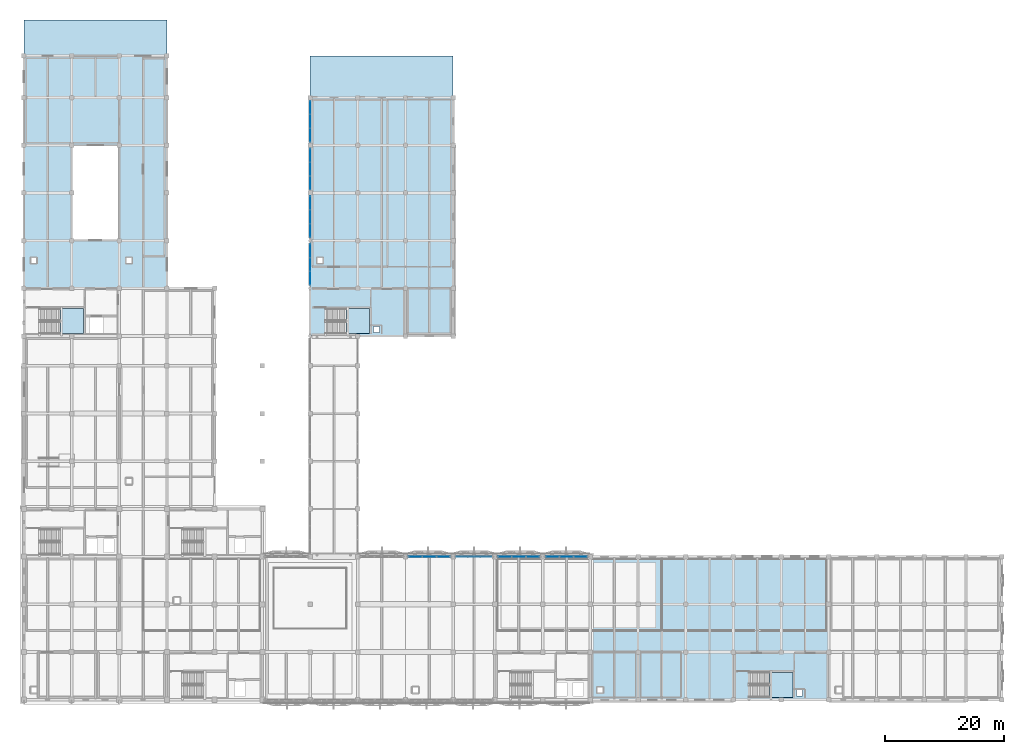
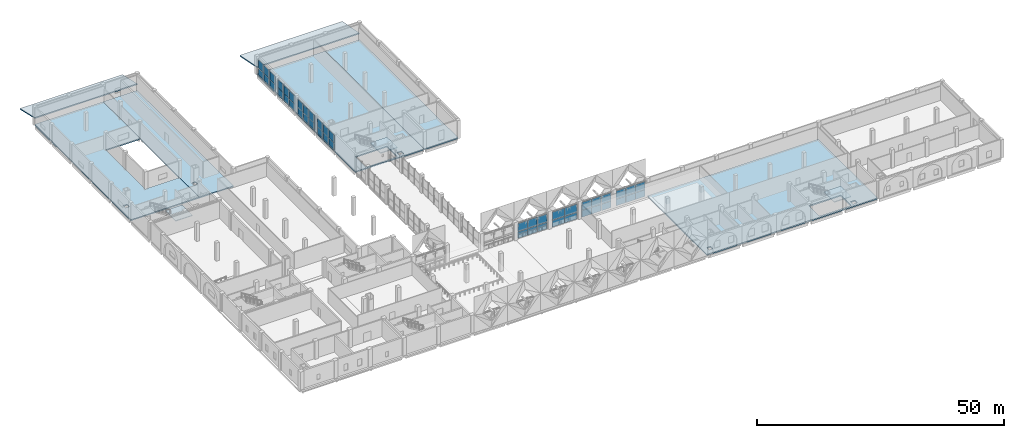
# One storey, part 24 of 53: 46 plates, 10 slabs, 13 elements without a shape of their own.
"""IFC4 building model written with IfcOpenShell, lengths in metres."""

from ifc_helpers import new_model, si_unit, direction, frame, origin, origin_2d, place, context, subcontext, project, spatial, polyline, rectangle, outline, extrude, material, layer, layer_set, type_object, element, aggregate, save


model = new_model("IFC4")

# Units and contexts
model_context = context("Model", 3, precision=1e-05, world=origin(), true_north=direction((0.0, 1.0)))
body_context = subcontext(model_context, "Body", "Model", "MODEL_VIEW")
ifc_project = project(units=[si_unit("LENGTHUNIT", "METRE"), si_unit("AREAUNIT", "SQUARE_METRE"), si_unit("VOLUMEUNIT", "CUBIC_METRE"), si_unit("PLANEANGLEUNIT", "RADIAN"), si_unit("MASSUNIT", "GRAM", prefix="KILO")], contexts=[model_context])

# Site, building, storey
site_placement = place(None, origin())
site = spatial("IfcSite", under=ifc_project, at=site_placement, CompositionType="ELEMENT")
building_placement = place(site_placement, origin())
building = spatial("IfcBuilding", under=site, at=building_placement, Name="Qorikala Patio Media Centre", CompositionType="ELEMENT")
storey_placement = place(building_placement, frame((0.0, 0.0, 5.39990234375)))
storey = spatial("IfcBuildingStorey", under=building, at=storey_placement, Name="L01", CompositionType="ELEMENT", Elevation=5.39990234375)

# Curtain wall, plates
ifc_material_1 = material(Name="Bronze Anodised Aluminium and Low-E Glass", Category="aluminium")
ifc_layer_1 = layer(ifc_material_1, 0.159912109375)
ifc_layer_set_1 = layer_set([ifc_layer_1], Name="Bronze Anodised Aluminium and Low-E Glass")
curtain_wall_type_1 = type_object("IfcCurtainWallType", Name="CW-PAT-696X385", PredefinedType="USERDEFINED", material=ifc_layer_set_1)
curtain_wall_1_placement = place(storey_placement, origin())
curtain_wall_1 = element("IfcCurtainWall", 1, at=curtain_wall_1_placement, inside=storey, type_object=curtain_wall_type_1, Name="L01 Courtyard Curtain Wall 021", ObjectType="COURTYARD CURTAIN WALL", PredefinedType="USERDEFINED")
ifc_material_2 = material(Name="Low-E Double Glazing Glass", Category="glass")
ifc_layer_2 = layer(ifc_material_2, 0.028076171875)
ifc_layer_set_2 = layer_set([ifc_layer_2], Name="Low-E Double Glazing Glass")
plate_type_1 = type_object("IfcPlateType", Name="CWP-28", PredefinedType="CURTAIN_PANEL", material=ifc_layer_set_2)
plate_1_placement = place(storey_placement, frame((51.0, 73.697509765625, 0.070068359375), z_axis=(0.0, 0.0, 1.0), x_axis=(0.0, 1.0, 0.0)))
plate_1 = element("IfcPlate", 2, at=plate_1_placement, type_object=plate_type_1, Name="CWP696385 panel 1.1", PredefinedType="CURTAIN_PANEL", context=body_context, shape_type="SweptSolid", body=[
    extrude(rectangle(XDim=2.215087890625, YDim=0.028076171875, at=origin_2d()), origin(), (0.0, 0.0, 1.0), 1.62744140625),
])
plate_2_placement = place(storey_placement, frame((51.0, 73.697509765625, 1.767578125), z_axis=(0.0, 0.0, 1.0), x_axis=(0.0, 1.0, 0.0)))
plate_2 = element("IfcPlate", 3, at=plate_2_placement, type_object=plate_type_1, Name="CWP696385 panel 1.2", PredefinedType="CURTAIN_PANEL", context=body_context, shape_type="SweptSolid", body=[
    extrude(rectangle(XDim=2.215087890625, YDim=0.028076171875, at=origin_2d()), origin(), (0.0, 0.0, 1.0), 2.012451171875),
])
plate_3_placement = place(storey_placement, frame((51.0, 76.0, 0.070068359375), z_axis=(0.0, 0.0, 1.0), x_axis=(0.0, 1.0, 0.0)))
plate_3 = element("IfcPlate", 4, at=plate_3_placement, type_object=plate_type_1, Name="CWP696385 panel 2.1", PredefinedType="CURTAIN_PANEL", context=body_context, shape_type="SweptSolid", body=[
    extrude(rectangle(XDim=2.25, YDim=0.028076171875, at=origin_2d()), origin(), (0.0, 0.0, 1.0), 1.62744140625),
])
plate_4_placement = place(storey_placement, frame((51.0, 76.0, 1.767578125), z_axis=(0.0, 0.0, 1.0), x_axis=(0.0, 1.0, 0.0)))
plate_4 = element("IfcPlate", 5, at=plate_4_placement, type_object=plate_type_1, Name="CWP696385 panel 2.2", PredefinedType="CURTAIN_PANEL", context=body_context, shape_type="SweptSolid", body=[
    extrude(rectangle(XDim=2.25, YDim=0.028076171875, at=origin_2d()), origin(), (0.0, 0.0, 1.0), 2.012451171875),
])
plate_5_placement = place(storey_placement, frame((51.0, 78.302490234375, 0.070068359375), z_axis=(0.0, 0.0, 1.0), x_axis=(0.0, 1.0, 0.0)))
plate_5 = element("IfcPlate", 6, at=plate_5_placement, type_object=plate_type_1, Name="CWP696385 panel 3.1", PredefinedType="CURTAIN_PANEL", context=body_context, shape_type="SweptSolid", body=[
    extrude(rectangle(XDim=2.215087890625, YDim=0.028076171875, at=origin_2d()), origin(), (0.0, 0.0, 1.0), 1.62744140625),
])
plate_6_placement = place(storey_placement, frame((51.0, 78.302490234375, 1.767578125), z_axis=(0.0, 0.0, 1.0), x_axis=(0.0, 1.0, 0.0)))
plate_6 = element("IfcPlate", 7, at=plate_6_placement, type_object=plate_type_1, Name="CWP696385 panel 3.2", PredefinedType="CURTAIN_PANEL", context=body_context, shape_type="SweptSolid", body=[
    extrude(rectangle(XDim=2.215087890625, YDim=0.028076171875, at=origin_2d()), origin(), (0.0, 0.0, 1.0), 2.012451171875),
])
aggregate(curtain_wall_1, [plate_1, plate_2, plate_3, plate_4, plate_5, plate_6])

curtain_wall_2_placement = place(storey_placement, origin())
curtain_wall_2 = element("IfcCurtainWall", 8, at=curtain_wall_2_placement, inside=storey, type_object=curtain_wall_type_1, Name="L01 Courtyard Curtain Wall 022", ObjectType="COURTYARD CURTAIN WALL", PredefinedType="USERDEFINED")
plate_7_placement = place(storey_placement, frame((51.0, 81.697509765625, 0.070068359375), z_axis=(0.0, 0.0, 1.0), x_axis=(0.0, 1.0, 0.0)))
plate_7 = element("IfcPlate", 9, at=plate_7_placement, type_object=plate_type_1, Name="CWP696385 panel 1.1", PredefinedType="CURTAIN_PANEL", context=body_context, shape_type="SweptSolid", body=[
    extrude(rectangle(XDim=2.215087890625, YDim=0.028076171875, at=origin_2d()), origin(), (0.0, 0.0, 1.0), 1.62744140625),
])
plate_8_placement = place(storey_placement, frame((51.0, 81.697509765625, 1.767578125), z_axis=(0.0, 0.0, 1.0), x_axis=(0.0, 1.0, 0.0)))
plate_8 = element("IfcPlate", 10, at=plate_8_placement, type_object=plate_type_1, Name="CWP696385 panel 1.2", PredefinedType="CURTAIN_PANEL", context=body_context, shape_type="SweptSolid", body=[
    extrude(rectangle(XDim=2.215087890625, YDim=0.028076171875, at=origin_2d()), origin(), (0.0, 0.0, 1.0), 2.012451171875),
])
plate_9_placement = place(storey_placement, frame((51.0, 84.0, 0.070068359375), z_axis=(0.0, 0.0, 1.0), x_axis=(0.0, 1.0, 0.0)))
plate_9 = element("IfcPlate", 11, at=plate_9_placement, type_object=plate_type_1, Name="CWP696385 panel 2.1", PredefinedType="CURTAIN_PANEL", context=body_context, shape_type="SweptSolid", body=[
    extrude(rectangle(XDim=2.25, YDim=0.028076171875, at=origin_2d()), origin(), (0.0, 0.0, 1.0), 1.62744140625),
])
plate_10_placement = place(storey_placement, frame((51.0, 84.0, 1.767578125), z_axis=(0.0, 0.0, 1.0), x_axis=(0.0, 1.0, 0.0)))
plate_10 = element("IfcPlate", 12, at=plate_10_placement, type_object=plate_type_1, Name="CWP696385 panel 2.2", PredefinedType="CURTAIN_PANEL", context=body_context, shape_type="SweptSolid", body=[
    extrude(rectangle(XDim=2.25, YDim=0.028076171875, at=origin_2d()), origin(), (0.0, 0.0, 1.0), 2.012451171875),
])
plate_11_placement = place(storey_placement, frame((51.0, 86.302490234375, 0.070068359375), z_axis=(0.0, 0.0, 1.0), x_axis=(0.0, 1.0, 0.0)))
plate_11 = element("IfcPlate", 13, at=plate_11_placement, type_object=plate_type_1, Name="CWP696385 panel 3.1", PredefinedType="CURTAIN_PANEL", context=body_context, shape_type="SweptSolid", body=[
    extrude(rectangle(XDim=2.215087890625, YDim=0.028076171875, at=origin_2d()), origin(), (0.0, 0.0, 1.0), 1.62744140625),
])
plate_12_placement = place(storey_placement, frame((51.0, 86.302490234375, 1.767578125), z_axis=(0.0, 0.0, 1.0), x_axis=(0.0, 1.0, 0.0)))
plate_12 = element("IfcPlate", 14, at=plate_12_placement, type_object=plate_type_1, Name="CWP696385 panel 3.2", PredefinedType="CURTAIN_PANEL", context=body_context, shape_type="SweptSolid", body=[
    extrude(rectangle(XDim=2.215087890625, YDim=0.028076171875, at=origin_2d()), origin(), (0.0, 0.0, 1.0), 2.012451171875),
])
aggregate(curtain_wall_2, [plate_7, plate_8, plate_9, plate_10, plate_11, plate_12])

curtain_wall_3_placement = place(storey_placement, origin())
curtain_wall_3 = element("IfcCurtainWall", 15, at=curtain_wall_3_placement, inside=storey, type_object=curtain_wall_type_1, Name="L01 Courtyard Curtain Wall 023", ObjectType="COURTYARD CURTAIN WALL", PredefinedType="USERDEFINED")
plate_13_placement = place(storey_placement, frame((51.0, 89.697509765625, 0.070068359375), z_axis=(0.0, 0.0, 1.0), x_axis=(0.0, 1.0, 0.0)))
plate_13 = element("IfcPlate", 16, at=plate_13_placement, type_object=plate_type_1, Name="CWP696385 panel 1.1", PredefinedType="CURTAIN_PANEL", context=body_context, shape_type="SweptSolid", body=[
    extrude(rectangle(XDim=2.215087890625, YDim=0.028076171875, at=origin_2d()), origin(), (0.0, 0.0, 1.0), 1.62744140625),
])
plate_14_placement = place(storey_placement, frame((51.0, 89.697509765625, 1.767578125), z_axis=(0.0, 0.0, 1.0), x_axis=(0.0, 1.0, 0.0)))
plate_14 = element("IfcPlate", 17, at=plate_14_placement, type_object=plate_type_1, Name="CWP696385 panel 1.2", PredefinedType="CURTAIN_PANEL", context=body_context, shape_type="SweptSolid", body=[
    extrude(rectangle(XDim=2.215087890625, YDim=0.028076171875, at=origin_2d()), origin(), (0.0, 0.0, 1.0), 2.012451171875),
])
plate_15_placement = place(storey_placement, frame((51.0, 92.0, 0.070068359375), z_axis=(0.0, 0.0, 1.0), x_axis=(0.0, 1.0, 0.0)))
plate_15 = element("IfcPlate", 18, at=plate_15_placement, type_object=plate_type_1, Name="CWP696385 panel 2.1", PredefinedType="CURTAIN_PANEL", context=body_context, shape_type="SweptSolid", body=[
    extrude(rectangle(XDim=2.25, YDim=0.028076171875, at=origin_2d()), origin(), (0.0, 0.0, 1.0), 1.62744140625),
])
plate_16_placement = place(storey_placement, frame((51.0, 92.0, 1.767578125), z_axis=(0.0, 0.0, 1.0), x_axis=(0.0, 1.0, 0.0)))
plate_16 = element("IfcPlate", 19, at=plate_16_placement, type_object=plate_type_1, Name="CWP696385 panel 2.2", PredefinedType="CURTAIN_PANEL", context=body_context, shape_type="SweptSolid", body=[
    extrude(rectangle(XDim=2.25, YDim=0.028076171875, at=origin_2d()), origin(), (0.0, 0.0, 1.0), 2.012451171875),
])
plate_17_placement = place(storey_placement, frame((51.0, 94.302490234375, 0.070068359375), z_axis=(0.0, 0.0, 1.0), x_axis=(0.0, 1.0, 0.0)))
plate_17 = element("IfcPlate", 20, at=plate_17_placement, type_object=plate_type_1, Name="CWP696385 panel 3.1", PredefinedType="CURTAIN_PANEL", context=body_context, shape_type="SweptSolid", body=[
    extrude(rectangle(XDim=2.215087890625, YDim=0.028076171875, at=origin_2d()), origin(), (0.0, 0.0, 1.0), 1.62744140625),
])
plate_18_placement = place(storey_placement, frame((51.0, 94.302490234375, 1.767578125), z_axis=(0.0, 0.0, 1.0), x_axis=(0.0, 1.0, 0.0)))
plate_18 = element("IfcPlate", 21, at=plate_18_placement, type_object=plate_type_1, Name="CWP696385 panel 3.2", PredefinedType="CURTAIN_PANEL", context=body_context, shape_type="SweptSolid", body=[
    extrude(rectangle(XDim=2.215087890625, YDim=0.028076171875, at=origin_2d()), origin(), (0.0, 0.0, 1.0), 2.012451171875),
])
aggregate(curtain_wall_3, [plate_13, plate_14, plate_15, plate_16, plate_17, plate_18])

curtain_wall_4_placement = place(storey_placement, origin())
curtain_wall_4 = element("IfcCurtainWall", 22, at=curtain_wall_4_placement, inside=storey, type_object=curtain_wall_type_1, Name="L01 Courtyard Curtain Wall 024", ObjectType="COURTYARD CURTAIN WALL", PredefinedType="USERDEFINED")
plate_19_placement = place(storey_placement, frame((51.0, 97.697509765625, 0.070068359375), z_axis=(0.0, 0.0, 1.0), x_axis=(0.0, 1.0, 0.0)))
plate_19 = element("IfcPlate", 23, at=plate_19_placement, type_object=plate_type_1, Name="CWP696385 panel 1.1", PredefinedType="CURTAIN_PANEL", context=body_context, shape_type="SweptSolid", body=[
    extrude(rectangle(XDim=2.215087890625, YDim=0.028076171875, at=origin_2d()), origin(), (0.0, 0.0, 1.0), 1.62744140625),
])
plate_20_placement = place(storey_placement, frame((51.0, 97.697509765625, 1.767578125), z_axis=(0.0, 0.0, 1.0), x_axis=(0.0, 1.0, 0.0)))
plate_20 = element("IfcPlate", 24, at=plate_20_placement, type_object=plate_type_1, Name="CWP696385 panel 1.2", PredefinedType="CURTAIN_PANEL", context=body_context, shape_type="SweptSolid", body=[
    extrude(rectangle(XDim=2.215087890625, YDim=0.028076171875, at=origin_2d()), origin(), (0.0, 0.0, 1.0), 2.012451171875),
])
plate_21_placement = place(storey_placement, frame((51.0, 100.0, 0.070068359375), z_axis=(0.0, 0.0, 1.0), x_axis=(0.0, 1.0, 0.0)))
plate_21 = element("IfcPlate", 25, at=plate_21_placement, type_object=plate_type_1, Name="CWP696385 panel 2.1", PredefinedType="CURTAIN_PANEL", context=body_context, shape_type="SweptSolid", body=[
    extrude(rectangle(XDim=2.25, YDim=0.028076171875, at=origin_2d()), origin(), (0.0, 0.0, 1.0), 1.62744140625),
])
plate_22_placement = place(storey_placement, frame((51.0, 100.0, 1.767578125), z_axis=(0.0, 0.0, 1.0), x_axis=(0.0, 1.0, 0.0)))
plate_22 = element("IfcPlate", 26, at=plate_22_placement, type_object=plate_type_1, Name="CWP696385 panel 2.2", PredefinedType="CURTAIN_PANEL", context=body_context, shape_type="SweptSolid", body=[
    extrude(rectangle(XDim=2.25, YDim=0.028076171875, at=origin_2d()), origin(), (0.0, 0.0, 1.0), 2.012451171875),
])
plate_23_placement = place(storey_placement, frame((51.0, 102.302490234375, 0.070068359375), z_axis=(0.0, 0.0, 1.0), x_axis=(0.0, 1.0, 0.0)))
plate_23 = element("IfcPlate", 27, at=plate_23_placement, type_object=plate_type_1, Name="CWP696385 panel 3.1", PredefinedType="CURTAIN_PANEL", context=body_context, shape_type="SweptSolid", body=[
    extrude(rectangle(XDim=2.215087890625, YDim=0.028076171875, at=origin_2d()), origin(), (0.0, 0.0, 1.0), 1.62744140625),
])
plate_24_placement = place(storey_placement, frame((51.0, 102.302490234375, 1.767578125), z_axis=(0.0, 0.0, 1.0), x_axis=(0.0, 1.0, 0.0)))
plate_24 = element("IfcPlate", 28, at=plate_24_placement, type_object=plate_type_1, Name="CWP696385 panel 3.2", PredefinedType="CURTAIN_PANEL", context=body_context, shape_type="SweptSolid", body=[
    extrude(rectangle(XDim=2.215087890625, YDim=0.028076171875, at=origin_2d()), origin(), (0.0, 0.0, 1.0), 2.012451171875),
])
aggregate(curtain_wall_4, [plate_19, plate_20, plate_21, plate_22, plate_23, plate_24])

ifc_material_3 = material(Name="Golden Bronze Anodised Aluminium and Low-E Glass", Category="aluminium")
ifc_layer_3 = layer(ifc_material_3, 0.159912109375)
ifc_layer_set_3 = layer_set([ifc_layer_3], Name="Golden Bronze Anodised Aluminium and Low-E Glass")
curtain_wall_type_2 = type_object("IfcCurtainWallType", Name="CW-DIA-696X385", PredefinedType="USERDEFINED", material=ifc_layer_set_3)
curtain_wall_5_placement = place(storey_placement, origin())
curtain_wall_5 = element("IfcCurtainWall", 29, at=curtain_wall_5_placement, inside=storey, type_object=curtain_wall_type_2, Name="L01 Courtyard Curtain Wall 031", ObjectType="COURTYARD CURTAIN WALL", PredefinedType="USERDEFINED")
ifc_material_4 = material(Name="Solar-Control Diamond Facet Glass", Category="glass")
ifc_layer_4 = layer(ifc_material_4, 0.035888671875)
ifc_layer_set_4 = layer_set([ifc_layer_4], Name="Solar-Control Diamond Facet Glass")
plate_type_2 = type_object("IfcPlateType", Name="CWP-36", PredefinedType="CURTAIN_PANEL", material=ifc_layer_set_4)
plate_25_placement = place(storey_placement, frame((68.6962890625, 27.0, 0.06494140625), z_axis=(0.0, 0.0, 1.0), x_axis=(1.0, 0.0, 0.0)))
plate_25 = element("IfcPlate", 30, at=plate_25_placement, type_object=plate_type_2, Name="CWD696385 panel 1.1", PredefinedType="CURTAIN_PANEL", context=body_context, shape_type="SweptSolid", body=[
    extrude(rectangle(XDim=2.222412109375, YDim=0.035888671875, at=origin_2d()), origin(), (0.0, 0.0, 1.0), 1.635009765625),
])
plate_26_placement = place(storey_placement, frame((68.6962890625, 27.0, 1.76513671875), z_axis=(0.0, 0.0, 1.0), x_axis=(1.0, 0.0, 0.0)))
plate_26 = element("IfcPlate", 31, at=plate_26_placement, type_object=plate_type_2, Name="CWD696385 panel 1.2", PredefinedType="CURTAIN_PANEL", context=body_context, shape_type="SweptSolid", body=[
    extrude(rectangle(XDim=2.222412109375, YDim=0.035888671875, at=origin_2d()), origin(), (0.0, 0.0, 1.0), 2.02001953125),
])
plate_27_placement = place(storey_placement, frame((71.0, 27.0, 0.06494140625), z_axis=(0.0, 0.0, 1.0), x_axis=(1.0, 0.0, 0.0)))
plate_27 = element("IfcPlate", 32, at=plate_27_placement, type_object=plate_type_2, Name="CWD696385 panel 2.1", PredefinedType="CURTAIN_PANEL", context=body_context, shape_type="SweptSolid", body=[
    extrude(rectangle(XDim=2.2548828125, YDim=0.035888671875, at=origin_2d()), origin(), (0.0, 0.0, 1.0), 1.635009765625),
])
plate_28_placement = place(storey_placement, frame((71.0, 27.0, 1.76513671875), z_axis=(0.0, 0.0, 1.0), x_axis=(1.0, 0.0, 0.0)))
plate_28 = element("IfcPlate", 33, at=plate_28_placement, type_object=plate_type_2, Name="CWD696385 panel 2.2", PredefinedType="CURTAIN_PANEL", context=body_context, shape_type="SweptSolid", body=[
    extrude(rectangle(XDim=2.2548828125, YDim=0.035888671875, at=origin_2d()), origin(), (0.0, 0.0, 1.0), 2.02001953125),
])
plate_29_placement = place(storey_placement, frame((73.3037109375, 27.0, 0.06494140625), z_axis=(0.0, 0.0, 1.0), x_axis=(1.0, 0.0, 0.0)))
plate_29 = element("IfcPlate", 34, at=plate_29_placement, type_object=plate_type_2, Name="CWD696385 panel 3.1", PredefinedType="CURTAIN_PANEL", context=body_context, shape_type="SweptSolid", body=[
    extrude(rectangle(XDim=2.222412109375, YDim=0.035888671875, at=origin_2d()), origin(), (0.0, 0.0, 1.0), 1.635009765625),
])
plate_30_placement = place(storey_placement, frame((73.3037109375, 27.0, 1.76513671875), z_axis=(0.0, 0.0, 1.0), x_axis=(1.0, 0.0, 0.0)))
plate_30 = element("IfcPlate", 35, at=plate_30_placement, type_object=plate_type_2, Name="CWD696385 panel 3.2", PredefinedType="CURTAIN_PANEL", context=body_context, shape_type="SweptSolid", body=[
    extrude(rectangle(XDim=2.222412109375, YDim=0.035888671875, at=origin_2d()), origin(), (0.0, 0.0, 1.0), 2.02001953125),
])
aggregate(curtain_wall_5, [plate_25, plate_26, plate_27, plate_28, plate_29, plate_30])

ifc_layer_5 = layer(ifc_material_3, 0.159912109375)
ifc_layer_set_5 = layer_set([ifc_layer_5], Name="Golden Bronze Anodised Aluminium and Low-E Glass")
curtain_wall_type_3 = type_object("IfcCurtainWallType", Name="CW-DIA-596X385", PredefinedType="USERDEFINED", material=ifc_layer_set_5)
curtain_wall_6_placement = place(storey_placement, origin())
curtain_wall_6 = element("IfcCurtainWall", 36, at=curtain_wall_6_placement, inside=storey, type_object=curtain_wall_type_3, Name="L01 Courtyard Curtain Wall 032", ObjectType="COURTYARD CURTAIN WALL", PredefinedType="USERDEFINED")
plate_31_placement = place(storey_placement, frame((77.0263671875, 27.0, 0.06494140625), z_axis=(0.0, 0.0, 1.0), x_axis=(1.0, 0.0, 0.0)))
plate_31 = element("IfcPlate", 37, at=plate_31_placement, type_object=plate_type_2, Name="CWD596385 panel 1.1", PredefinedType="CURTAIN_PANEL", context=body_context, shape_type="SweptSolid", body=[
    extrude(rectangle(XDim=2.882568359375, YDim=0.035888671875, at=origin_2d()), origin(), (0.0, 0.0, 1.0), 1.635009765625),
])
plate_32_placement = place(storey_placement, frame((77.0263671875, 27.0, 1.76513671875), z_axis=(0.0, 0.0, 1.0), x_axis=(1.0, 0.0, 0.0)))
plate_32 = element("IfcPlate", 38, at=plate_32_placement, type_object=plate_type_2, Name="CWD596385 panel 1.2", PredefinedType="CURTAIN_PANEL", context=body_context, shape_type="SweptSolid", body=[
    extrude(rectangle(XDim=2.882568359375, YDim=0.035888671875, at=origin_2d()), origin(), (0.0, 0.0, 1.0), 2.02001953125),
])
plate_33_placement = place(storey_placement, frame((79.9736328125, 27.0, 0.06494140625), z_axis=(0.0, 0.0, 1.0), x_axis=(1.0, 0.0, 0.0)))
plate_33 = element("IfcPlate", 39, at=plate_33_placement, type_object=plate_type_2, Name="CWD596385 panel 2.1", PredefinedType="CURTAIN_PANEL", context=body_context, shape_type="SweptSolid", body=[
    extrude(rectangle(XDim=2.882568359375, YDim=0.035888671875, at=origin_2d()), origin(), (0.0, 0.0, 1.0), 1.635009765625),
])
plate_34_placement = place(storey_placement, frame((79.9736328125, 27.0, 1.76513671875), z_axis=(0.0, 0.0, 1.0), x_axis=(1.0, 0.0, 0.0)))
plate_34 = element("IfcPlate", 40, at=plate_34_placement, type_object=plate_type_2, Name="CWD596385 panel 2.2", PredefinedType="CURTAIN_PANEL", context=body_context, shape_type="SweptSolid", body=[
    extrude(rectangle(XDim=2.882568359375, YDim=0.035888671875, at=origin_2d()), origin(), (0.0, 0.0, 1.0), 2.02001953125),
])
aggregate(curtain_wall_6, [plate_31, plate_32, plate_33, plate_34])

curtain_wall_7_placement = place(storey_placement, origin())
curtain_wall_7 = element("IfcCurtainWall", 41, at=curtain_wall_7_placement, inside=storey, type_object=curtain_wall_type_2, Name="L01 Courtyard Curtain Wall 033", ObjectType="COURTYARD CURTAIN WALL", PredefinedType="USERDEFINED")
plate_35_placement = place(storey_placement, frame((83.6962890625, 27.0, 0.06494140625), z_axis=(0.0, 0.0, 1.0), x_axis=(1.0, 0.0, 0.0)))
plate_35 = element("IfcPlate", 42, at=plate_35_placement, type_object=plate_type_2, Name="CWD696385 panel 1.1", PredefinedType="CURTAIN_PANEL", context=body_context, shape_type="SweptSolid", body=[
    extrude(rectangle(XDim=2.222412109375, YDim=0.035888671875, at=origin_2d()), origin(), (0.0, 0.0, 1.0), 1.635009765625),
])
plate_36_placement = place(storey_placement, frame((83.6962890625, 27.0, 1.76513671875), z_axis=(0.0, 0.0, 1.0), x_axis=(1.0, 0.0, 0.0)))
plate_36 = element("IfcPlate", 43, at=plate_36_placement, type_object=plate_type_2, Name="CWD696385 panel 1.2", PredefinedType="CURTAIN_PANEL", context=body_context, shape_type="SweptSolid", body=[
    extrude(rectangle(XDim=2.222412109375, YDim=0.035888671875, at=origin_2d()), origin(), (0.0, 0.0, 1.0), 2.02001953125),
])
plate_37_placement = place(storey_placement, frame((86.0, 27.0, 0.06494140625), z_axis=(0.0, 0.0, 1.0), x_axis=(1.0, 0.0, 0.0)))
plate_37 = element("IfcPlate", 44, at=plate_37_placement, type_object=plate_type_2, Name="CWD696385 panel 2.1", PredefinedType="CURTAIN_PANEL", context=body_context, shape_type="SweptSolid", body=[
    extrude(rectangle(XDim=2.2548828125, YDim=0.035888671875, at=origin_2d()), origin(), (0.0, 0.0, 1.0), 1.635009765625),
])
plate_38_placement = place(storey_placement, frame((86.0, 27.0, 1.76513671875), z_axis=(0.0, 0.0, 1.0), x_axis=(1.0, 0.0, 0.0)))
plate_38 = element("IfcPlate", 45, at=plate_38_placement, type_object=plate_type_2, Name="CWD696385 panel 2.2", PredefinedType="CURTAIN_PANEL", context=body_context, shape_type="SweptSolid", body=[
    extrude(rectangle(XDim=2.2548828125, YDim=0.035888671875, at=origin_2d()), origin(), (0.0, 0.0, 1.0), 2.02001953125),
])
plate_39_placement = place(storey_placement, frame((88.3037109375, 27.0, 0.06494140625), z_axis=(0.0, 0.0, 1.0), x_axis=(1.0, 0.0, 0.0)))
plate_39 = element("IfcPlate", 46, at=plate_39_placement, type_object=plate_type_2, Name="CWD696385 panel 3.1", PredefinedType="CURTAIN_PANEL", context=body_context, shape_type="SweptSolid", body=[
    extrude(rectangle(XDim=2.222412109375, YDim=0.035888671875, at=origin_2d()), origin(), (0.0, 0.0, 1.0), 1.635009765625),
])
plate_40_placement = place(storey_placement, frame((88.3037109375, 27.0, 1.76513671875), z_axis=(0.0, 0.0, 1.0), x_axis=(1.0, 0.0, 0.0)))
plate_40 = element("IfcPlate", 47, at=plate_40_placement, type_object=plate_type_2, Name="CWD696385 panel 3.2", PredefinedType="CURTAIN_PANEL", context=body_context, shape_type="SweptSolid", body=[
    extrude(rectangle(XDim=2.222412109375, YDim=0.035888671875, at=origin_2d()), origin(), (0.0, 0.0, 1.0), 2.02001953125),
])
aggregate(curtain_wall_7, [plate_35, plate_36, plate_37, plate_38, plate_39, plate_40])

curtain_wall_8_placement = place(storey_placement, origin())
curtain_wall_8 = element("IfcCurtainWall", 48, at=curtain_wall_8_placement, inside=storey, type_object=curtain_wall_type_2, Name="L01 Courtyard Curtain Wall 034", ObjectType="COURTYARD CURTAIN WALL", PredefinedType="USERDEFINED")
plate_41_placement = place(storey_placement, frame((91.6962890625, 27.0, 0.06494140625), z_axis=(0.0, 0.0, 1.0), x_axis=(1.0, 0.0, 0.0)))
plate_41 = element("IfcPlate", 49, at=plate_41_placement, type_object=plate_type_2, Name="CWD696385 panel 1.1", PredefinedType="CURTAIN_PANEL", context=body_context, shape_type="SweptSolid", body=[
    extrude(rectangle(XDim=2.222412109375, YDim=0.035888671875, at=origin_2d()), origin(), (0.0, 0.0, 1.0), 1.635009765625),
])
plate_42_placement = place(storey_placement, frame((91.6962890625, 27.0, 1.76513671875), z_axis=(0.0, 0.0, 1.0), x_axis=(1.0, 0.0, 0.0)))
plate_42 = element("IfcPlate", 50, at=plate_42_placement, type_object=plate_type_2, Name="CWD696385 panel 1.2", PredefinedType="CURTAIN_PANEL", context=body_context, shape_type="SweptSolid", body=[
    extrude(rectangle(XDim=2.222412109375, YDim=0.035888671875, at=origin_2d()), origin(), (0.0, 0.0, 1.0), 2.02001953125),
])
plate_43_placement = place(storey_placement, frame((94.0, 27.0, 0.06494140625), z_axis=(0.0, 0.0, 1.0), x_axis=(1.0, 0.0, 0.0)))
plate_43 = element("IfcPlate", 51, at=plate_43_placement, type_object=plate_type_2, Name="CWD696385 panel 2.1", PredefinedType="CURTAIN_PANEL", context=body_context, shape_type="SweptSolid", body=[
    extrude(rectangle(XDim=2.2548828125, YDim=0.035888671875, at=origin_2d()), origin(), (0.0, 0.0, 1.0), 1.635009765625),
])
plate_44_placement = place(storey_placement, frame((94.0, 27.0, 1.76513671875), z_axis=(0.0, 0.0, 1.0), x_axis=(1.0, 0.0, 0.0)))
plate_44 = element("IfcPlate", 52, at=plate_44_placement, type_object=plate_type_2, Name="CWD696385 panel 2.2", PredefinedType="CURTAIN_PANEL", context=body_context, shape_type="SweptSolid", body=[
    extrude(rectangle(XDim=2.2548828125, YDim=0.035888671875, at=origin_2d()), origin(), (0.0, 0.0, 1.0), 2.02001953125),
])
plate_45_placement = place(storey_placement, frame((96.3037109375, 27.0, 0.06494140625), z_axis=(0.0, 0.0, 1.0), x_axis=(1.0, 0.0, 0.0)))
plate_45 = element("IfcPlate", 53, at=plate_45_placement, type_object=plate_type_2, Name="CWD696385 panel 3.1", PredefinedType="CURTAIN_PANEL", context=body_context, shape_type="SweptSolid", body=[
    extrude(rectangle(XDim=2.222412109375, YDim=0.035888671875, at=origin_2d()), origin(), (0.0, 0.0, 1.0), 1.635009765625),
])
plate_46_placement = place(storey_placement, frame((96.3037109375, 27.0, 1.76513671875), z_axis=(0.0, 0.0, 1.0), x_axis=(1.0, 0.0, 0.0)))
plate_46 = element("IfcPlate", 54, at=plate_46_placement, type_object=plate_type_2, Name="CWD696385 panel 3.2", PredefinedType="CURTAIN_PANEL", context=body_context, shape_type="SweptSolid", body=[
    extrude(rectangle(XDim=2.222412109375, YDim=0.035888671875, at=origin_2d()), origin(), (0.0, 0.0, 1.0), 2.02001953125),
])
aggregate(curtain_wall_8, [plate_41, plate_42, plate_43, plate_44, plate_45, plate_46])

# Slab
ifc_material_5 = material(Name="Concrete C35/45", Category="concrete")
ifc_layer_6 = layer(ifc_material_5, 0.300048828125)
ifc_layer_set_6 = layer_set([ifc_layer_6], Name="Concrete C35/45")
slab_type_1 = type_object("IfcSlabType", Name="SL-FLOOR-300", PredefinedType="FLOOR", material=ifc_layer_set_6)
slab_1_placement = place(storey_placement, frame((0.0, 0.0, -0.2998046875)))
element("IfcSlab", 55, at=slab_1_placement, inside=storey, type_object=slab_type_1, Name="L01 V7A Slab 11.1", PredefinedType="FLOOR", context=body_context, shape_type="SweptSolid", body=[
    extrude(outline(polyline([(138.0, 3.0), (98.0, 3.0), (98.0, 27.0), (138.0, 27.0), (138.0, 3.0)]), holes=[polyline([(132.60009765625, 3.60009765625), (133.60009765625, 3.60009765625), (133.60009765625, 4.60009765625), (132.60009765625, 4.60009765625), (132.60009765625, 3.60009765625)]), polyline([(99.199951171875, 4.199951171875), (100.10009765625, 4.199951171875), (100.10009765625, 5.10009765625), (99.199951171875, 5.10009765625), (99.199951171875, 4.199951171875)]), polyline([(124.60009765625, 3.39990234375), (132.0, 3.39990234375), (132.0, 7.60009765625), (124.60009765625, 7.60009765625), (124.60009765625, 3.39990234375)])]), origin(), (0.0, 0.0, 1.0), 0.2998046875),
])

# Stair, slab
ifc_material_6 = material(Name="Precast concrete C40/50", Category="concrete")
stair_type = type_object("IfcStairType", Name="ST-DL-26R173W200", PredefinedType="HALF_TURN_STAIR", material=ifc_material_6)
stair_1_placement = place(storey_placement, origin())
stair_1 = element("IfcStair", 56, at=stair_1_placement, inside=storey, type_object=stair_type, Name="L01 Core C3 Exit Stair ST-3", PredefinedType="HALF_TURN_STAIR")
ifc_layer_7 = layer(ifc_material_6, 0.199951171875)
ifc_layer_set_7 = layer_set([ifc_layer_7], Name="Precast concrete C40/50")
slab_type_2 = type_object("IfcSlabType", Name="SL-LAND-200", PredefinedType="LANDING", material=ifc_layer_set_7)
slab_2_placement = place(storey_placement, frame((0.0, 0.0, 2.050048828125)))
slab_2 = element("IfcSlab", 57, at=slab_2_placement, type_object=slab_type_2, Name="ST-3 landing 1", PredefinedType="LANDING", context=body_context, shape_type="SweptSolid", body=[
    extrude(outline(polyline([(9.080078125, 64.39990234375), (13.0, 64.39990234375), (13.0, 68.60009765625), (9.080078125, 68.60009765625), (9.080078125, 64.39990234375)])), origin(), (0.0, 0.0, 1.0), 0.199951171875),
])
aggregate(stair_1, [slab_2])

stair_2_placement = place(storey_placement, origin())
stair_2 = element("IfcStair", 58, at=stair_2_placement, inside=storey, type_object=stair_type, Name="L01 Core C6 Exit Stair ST-6", PredefinedType="HALF_TURN_STAIR")
slab_3_placement = place(storey_placement, frame((0.0, 0.0, 2.050048828125)))
slab_3 = element("IfcSlab", 59, at=slab_3_placement, type_object=slab_type_2, Name="ST-6 landing 1", PredefinedType="LANDING", context=body_context, shape_type="SweptSolid", body=[
    extrude(outline(polyline([(57.080078125, 64.39990234375), (61.0, 64.39990234375), (61.0, 68.60009765625), (57.080078125, 68.60009765625), (57.080078125, 64.39990234375)])), origin(), (0.0, 0.0, 1.0), 0.199951171875),
])
aggregate(stair_2, [slab_3])

stair_3_placement = place(storey_placement, origin())
stair_3 = element("IfcStair", 60, at=stair_3_placement, inside=storey, type_object=stair_type, Name="L01 Core C7 Exit Stair ST-7", PredefinedType="HALF_TURN_STAIR")
slab_4_placement = place(storey_placement, frame((0.0, 0.0, 2.050048828125)))
slab_4 = element("IfcSlab", 61, at=slab_4_placement, type_object=slab_type_2, Name="ST-7 landing 1", PredefinedType="LANDING", context=body_context, shape_type="SweptSolid", body=[
    extrude(outline(polyline([(128.080078125, 3.39990234375), (132.0, 3.39990234375), (132.0, 7.60009765625), (128.080078125, 7.60009765625), (128.080078125, 3.39990234375)])), origin(), (0.0, 0.0, 1.0), 0.199951171875),
])
aggregate(stair_3, [slab_4])

# Roof, slab
ifc_material_7 = material(Name="Terracotta Clay Tile and Steel S355", Category="masonry")
roof_type = type_object("IfcRoofType", Name="ROOF-GABLE", PredefinedType="GABLE_ROOF", material=ifc_material_7)
roof_1_placement = place(storey_placement, origin())
roof_1 = element("IfcRoof", 62, at=roof_1_placement, inside=storey, type_object=roof_type, Name="L01 Colonial Clay-Tile Loggia Roof RF-LOG-V4-L1", PredefinedType="GABLE_ROOF")
ifc_layer_8 = layer(ifc_material_5, 0.260009765625)
ifc_layer_set_8 = layer_set([ifc_layer_8], Name="Concrete C35/45")
slab_type_3 = type_object("IfcSlabType", Name="SL-ROOF-180", PredefinedType="ROOF", material=ifc_layer_set_8)
slab_5_placement = place(storey_placement, frame((3.0, 117.0, 0.260009765625), z_axis=(0.0, 0.22571056897, 0.974194405165), x_axis=(1.0, 0.0, 0.0)))
slab_5 = element("IfcSlab", 63, at=slab_5_placement, type_object=slab_type_3, Name="L01 Colonial Loggia Roof Slab RF-LOG-V4-L1", PredefinedType="ROOF", context=body_context, shape_type="SweptSolid", body=[
    extrude(outline(polyline([(0.0, 0.0), (24.0, 0.0), (24.0, -6.1589349807265386), (0.0, -6.1589349807265386), (0.0, 0.0)])), origin(), (0.0, 0.0, -1.0), 0.239990234375),
])
aggregate(roof_1, [slab_5])

roof_2_placement = place(storey_placement, origin())
roof_2 = element("IfcRoof", 64, at=roof_2_placement, inside=storey, type_object=roof_type, Name="L01 Colonial Clay-Tile Loggia Roof RF-LOG-V5-L1", PredefinedType="GABLE_ROOF")
slab_6_placement = place(storey_placement, frame((51.0, 111.0, 0.260009765625), z_axis=(0.0, 0.19478706005, 0.980845554222), x_axis=(1.0, 0.0, 0.0)))
slab_6 = element("IfcSlab", 65, at=slab_6_placement, type_object=slab_type_3, Name="L01 Colonial Loggia Roof Slab RF-LOG-V5-L1", PredefinedType="ROOF", context=body_context, shape_type="SweptSolid", body=[
    extrude(outline(polyline([(0.0, 0.0), (24.0, 0.0), (24.0, -7.136699524066921), (0.0, -7.136699524066921), (0.0, 0.0)])), origin(), (0.0, 0.0, -1.0), 0.239990234375),
])
aggregate(roof_2, [slab_6])

# Slabs
ifc_layer_9 = layer(ifc_material_5, 0.280029296875)
ifc_layer_set_9 = layer_set([ifc_layer_9], Name="Concrete C35/45")
slab_type_4 = type_object("IfcSlabType", Name="SL-STUDIO-280", PredefinedType="FLOOR", material=ifc_layer_set_9)
slab_7_placement = place(storey_placement, frame((0.0, 0.0, -0.27978515625)))
element("IfcSlab", 66, at=slab_7_placement, inside=storey, type_object=slab_type_4, Name="L01 V4A Slab 7.1", PredefinedType="FLOOR", context=body_context, shape_type="SweptSolid", body=[
    extrude(outline(polyline([(19.0, 111.0), (19.0, 96.0), (11.0, 96.0), (11.0, 80.0), (19.0, 80.0), (19.0, 72.0), (3.0, 72.0), (3.0, 111.0), (19.0, 111.0)]), holes=[polyline([(4.199951171875, 76.199951171875), (5.10009765625, 76.199951171875), (5.10009765625, 77.10009765625), (4.199951171875, 77.10009765625), (4.199951171875, 76.199951171875)])]), origin(), (0.0, 0.0, 1.0), 0.27978515625),
])
slab_8_placement = place(storey_placement, frame((0.0, 0.0, -0.27978515625)))
element("IfcSlab", 67, at=slab_8_placement, inside=storey, type_object=slab_type_4, Name="L01 V4B Slab 8.1", PredefinedType="FLOOR", context=body_context, shape_type="SweptSolid", body=[
    extrude(outline(polyline([(27.0, 72.0), (19.0, 72.0), (19.0, 80.0), (19.0, 96.0), (19.0, 111.0), (27.0, 111.0), (27.0, 72.0)]), holes=[polyline([(20.199951171875, 76.199951171875), (21.10009765625, 76.199951171875), (21.10009765625, 77.10009765625), (20.199951171875, 77.10009765625), (20.199951171875, 76.199951171875)])]), origin(), (0.0, 0.0, 1.0), 0.27978515625),
])
slab_9_placement = place(storey_placement, frame((0.0, 0.0, -0.27978515625)))
element("IfcSlab", 68, at=slab_9_placement, inside=storey, type_object=slab_type_4, Name="L01 V5A Slab 9.1", PredefinedType="FLOOR", context=body_context, shape_type="SweptSolid", body=[
    extrude(outline(polyline([(51.0, 104.0), (67.0, 104.0), (67.0, 64.0), (51.0, 64.0), (51.0, 104.0)]), holes=[polyline([(61.60009765625, 64.60009765625), (62.60009765625, 64.60009765625), (62.60009765625, 65.60009765625), (61.60009765625, 65.60009765625), (61.60009765625, 64.60009765625)]), polyline([(53.60009765625, 64.39990234375), (61.0, 64.39990234375), (61.0, 68.60009765625), (53.60009765625, 68.60009765625), (53.60009765625, 64.39990234375)]), polyline([(52.199951171875, 76.199951171875), (53.10009765625, 76.199951171875), (53.10009765625, 77.10009765625), (52.199951171875, 77.10009765625), (52.199951171875, 76.199951171875)])]), origin(), (0.0, 0.0, 1.0), 0.27978515625),
])
slab_10_placement = place(storey_placement, frame((0.0, 0.0, -0.27978515625)))
element("IfcSlab", 69, at=slab_10_placement, inside=storey, type_object=slab_type_4, Name="L01 V5B Slab 10.1", PredefinedType="FLOOR", context=body_context, shape_type="SweptSolid", body=[
    extrude(outline(polyline([(75.0, 64.0), (67.0, 64.0), (67.0, 104.0), (75.0, 104.0), (75.0, 64.0)])), origin(), (0.0, 0.0, 1.0), 0.27978515625),
])

save(model, "model.ifc")
